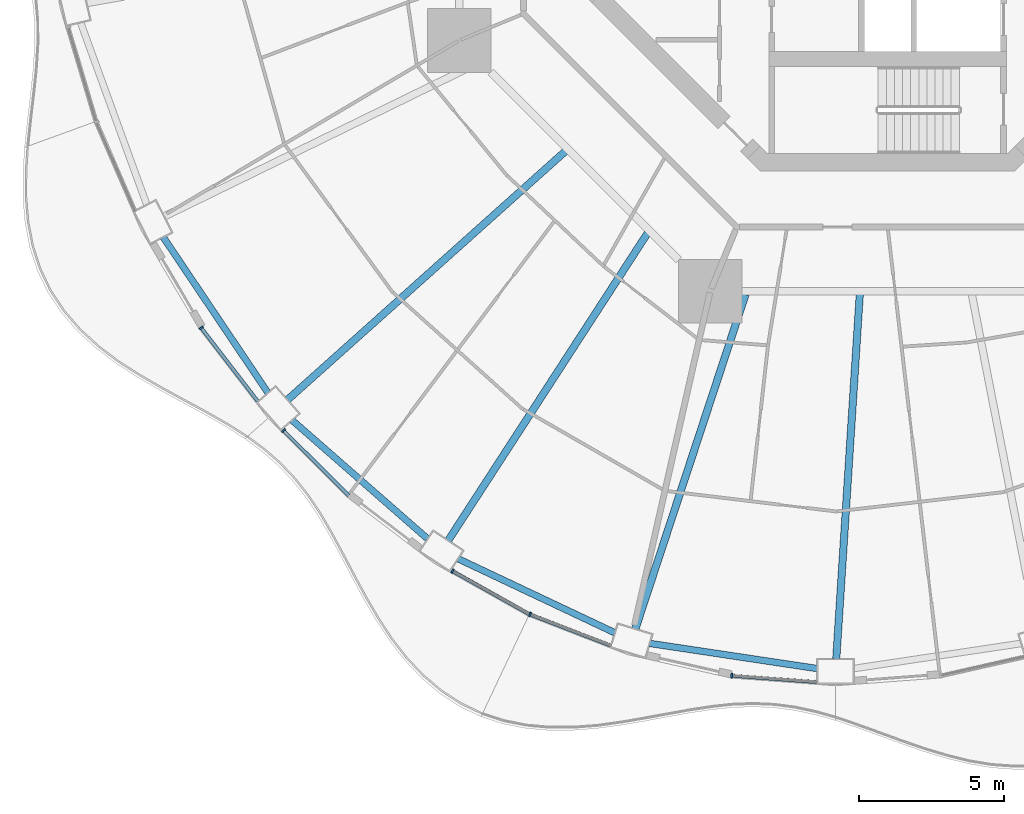
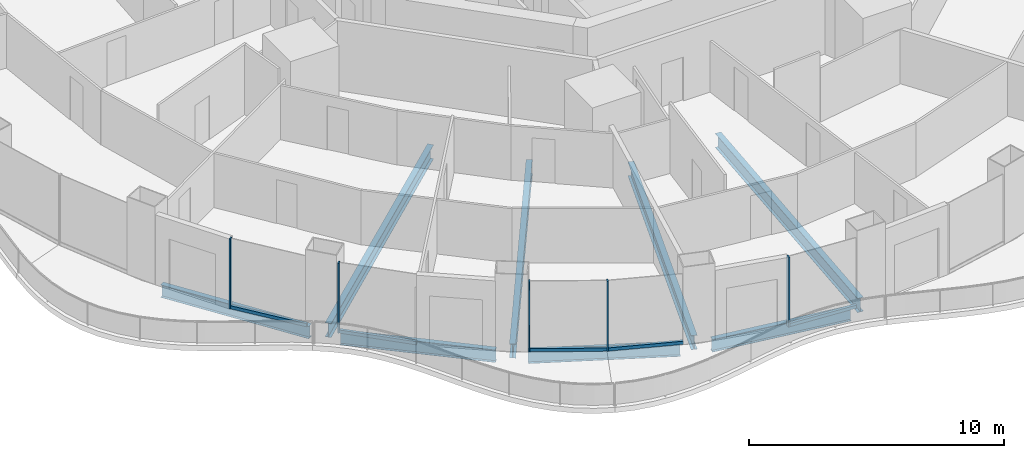
# One storey, part 2 of 23: 10 members, 8 beams, 5 elements without a shape of their own.
"""IFC4 building model written with IfcOpenShell, lengths in metres."""

from ifc_helpers import new_model, si_unit, direction, frame, origin, origin_2d, place, context, subcontext, project, spatial, rectangle, i_section, extrude, material, layer, layer_set, material_profile, profile_set, type_object, element, aggregate, save


model = new_model("IFC4")

# Units and contexts
model_context = context("Model", 3, precision=1e-05, world=origin(), true_north=direction((0.0, 1.0)))
body_context = subcontext(model_context, "Body", "Model", "MODEL_VIEW")
ifc_project = project(units=[si_unit("LENGTHUNIT", "METRE"), si_unit("AREAUNIT", "SQUARE_METRE"), si_unit("VOLUMEUNIT", "CUBIC_METRE"), si_unit("PLANEANGLEUNIT", "RADIAN"), si_unit("MASSUNIT", "GRAM", prefix="KILO")], contexts=[model_context])

# Site, building, storey
site_placement = place(None, origin())
site = spatial("IfcSite", under=ifc_project, at=site_placement, CompositionType="ELEMENT")
building_placement = place(site_placement, origin())
building = spatial("IfcBuilding", under=site, at=building_placement, Name="Nagisa Residences", CompositionType="ELEMENT")
storey_placement = place(building_placement, frame((0.0, 0.0, 110.300048828125)))
storey = spatial("IfcBuildingStorey", under=building, at=storey_placement, Name="L27", CompositionType="ELEMENT", Elevation=110.300048828125)

# Curtain wall, member
ifc_material_1 = material(Name="Concrete-coloured aluminium curtain wall system", Category="concrete")
ifc_layer = layer(ifc_material_1, 0.159912109375)
ifc_layer_set = layer_set([ifc_layer], Name="CW1 CURTAIN WALL")
curtain_wall_type = type_object("IfcCurtainWallType", Name="CW1 CURTAIN WALL", PredefinedType="NOTDEFINED", material=ifc_layer_set)
curtain_wall_1_placement = place(storey_placement, origin())
curtain_wall_1 = element("IfcCurtainWall", 1, at=curtain_wall_1_placement, inside=storey, type_object=curtain_wall_type, Name="cw:CW1:L27:29", PredefinedType="NOTDEFINED")
ifc_material_2 = material(Name="Concrete-coloured aluminium", Category="concrete")
ifc_material_profile_1 = material_profile(ifc_material_2, rectangle(XDim=0.159912109375, YDim=0.06005859375, at=origin_2d()), Name="CW1 MULLION 160x60")
ifc_profile_set_1 = profile_set([ifc_material_profile_1], Name="Concrete-coloured aluminium")
member_type_1 = type_object("IfcMemberType", Name="CW1 MULLION 160x60", PredefinedType="MULLION", material=ifc_profile_set_1)
member_1_placement = place(storey_placement, frame((-23.690185546875, -16.042236328125, 0.0), z_axis=(0.0, 0.0, 1.0), x_axis=(0.792070340816, 0.610429828235, 0.0)))
member_1 = element("IfcMember", 2, at=member_1_placement, type_object=member_type_1, Name="CW1 mullion", PredefinedType="MULLION", context=body_context, shape_type="SweptSolid", body=[
    extrude(rectangle(XDim=0.159912109375, YDim=0.06005859375, at=origin_2d()), origin(), (0.0, 0.0, 1.0), 3.349853515625),
])

curtain_wall_2_placement = place(storey_placement, origin())
curtain_wall_2 = element("IfcCurtainWall", 3, at=curtain_wall_2_placement, inside=storey, type_object=curtain_wall_type, Name="cw:CW1:L27:30", PredefinedType="NOTDEFINED")
member_2_placement = place(storey_placement, frame((-20.845458984375, -19.590576171875, 0.0), z_axis=(0.0, 0.0, 1.0), x_axis=(0.706376885714, 0.707835924016, 0.0)))
member_2 = element("IfcMember", 4, at=member_2_placement, type_object=member_type_1, Name="CW1 mullion", PredefinedType="MULLION", context=body_context, shape_type="SweptSolid", body=[
    extrude(rectangle(XDim=0.159912109375, YDim=0.06005859375, at=origin_2d()), origin(), (0.0, 0.0, 1.0), 3.349853515625),
])

curtain_wall_3_placement = place(storey_placement, origin())
curtain_wall_3 = element("IfcCurtainWall", 5, at=curtain_wall_3_placement, inside=storey, type_object=curtain_wall_type, Name="cw:CW1:L27:32", PredefinedType="NOTDEFINED")
member_3_placement = place(storey_placement, frame((-15.015380859375, -24.43798828125, 0.0), z_axis=(0.0, 0.0, 1.0), x_axis=(0.489376918501, 0.872072377523, 0.0)))
member_3 = element("IfcMember", 6, at=member_3_placement, type_object=member_type_1, Name="CW1 mullion", PredefinedType="MULLION", context=body_context, shape_type="SweptSolid", body=[
    extrude(rectangle(XDim=0.159912109375, YDim=0.06005859375, at=origin_2d()), origin(), (0.0, 0.0, 1.0), 3.349853515625),
])

curtain_wall_4_placement = place(storey_placement, origin())
curtain_wall_4 = element("IfcCurtainWall", 7, at=curtain_wall_4_placement, inside=storey, type_object=curtain_wall_type, Name="cw:CW1:L27:33", PredefinedType="NOTDEFINED")
member_4_placement = place(storey_placement, frame((-12.341552734375, -25.9345703125, 0.0), z_axis=(0.0, 0.0, 1.0), x_axis=(0.360327770268, 0.932825759707, 0.0)))
member_4 = element("IfcMember", 8, at=member_4_placement, type_object=member_type_1, Name="CW1 mullion", PredefinedType="MULLION", context=body_context, shape_type="SweptSolid", body=[
    extrude(rectangle(XDim=0.159912109375, YDim=0.06005859375, at=origin_2d()), origin(), (0.0, 0.0, 1.0), 3.349853515625),
])

curtain_wall_5_placement = place(storey_placement, origin())
curtain_wall_5 = element("IfcCurtainWall", 9, at=curtain_wall_5_placement, inside=storey, type_object=curtain_wall_type, Name="cw:CW1:L27:35", PredefinedType="NOTDEFINED")
member_5_placement = place(storey_placement, frame((-5.379150390625, -28.050048828125, 0.0), z_axis=(0.0, 0.0, 1.0), x_axis=(0.074377355493, 0.997230168512, 0.0)))
member_5 = element("IfcMember", 10, at=member_5_placement, type_object=member_type_1, Name="CW1 mullion", PredefinedType="MULLION", context=body_context, shape_type="SweptSolid", body=[
    extrude(rectangle(XDim=0.159912109375, YDim=0.06005859375, at=origin_2d()), origin(), (0.0, 0.0, 1.0), 3.349853515625),
])

# Member
ifc_material_3 = material(Name="Concrete-coloured aluminium", Category="concrete")
ifc_material_profile_2 = material_profile(ifc_material_3, rectangle(XDim=0.1201171875, YDim=0.14990234375, at=origin_2d()), Name="CW1 TRANSOM 120x150")
ifc_profile_set_2 = profile_set([ifc_material_profile_2], Name="Concrete-coloured aluminium")
member_type_2 = type_object("IfcMemberType", Name="CW1 TRANSOM 120x150", PredefinedType="USERDEFINED", material=ifc_profile_set_2)
member_6_placement = place(storey_placement, frame((-23.70849609375, -16.0185546875, 0.074951171875), z_axis=(0.61041202934, -0.792084057684, 0.0), x_axis=(0.792084057684, 0.61041202934, 0.0)))
member_6 = element("IfcMember", 11, at=member_6_placement, type_object=member_type_2, Name="CW1 transom", ObjectType="TRANSOM", PredefinedType="USERDEFINED", context=body_context, shape_type="SweptSolid", body=[
    extrude(rectangle(XDim=0.1201171875, YDim=0.14990234375, at=origin_2d()), origin(), (0.0, 0.0, 1.0), 3.262939453125),
])

aggregate(curtain_wall_1, [member_1, member_6])

member_7_placement = place(storey_placement, frame((-20.86669921875, -19.5693359375, 0.074951171875), z_axis=(0.707869817944, -0.706342920149, 0.0), x_axis=(0.706342920149, 0.707869817944, 0.0)))
member_7 = element("IfcMember", 12, at=member_7_placement, type_object=member_type_2, Name="CW1 transom", ObjectType="TRANSOM", PredefinedType="USERDEFINED", context=body_context, shape_type="SweptSolid", body=[
    extrude(rectangle(XDim=0.1201171875, YDim=0.14990234375, at=origin_2d()), origin(), (0.0, 0.0, 1.0), 3.19775390625),
])

aggregate(curtain_wall_2, [member_2, member_7])

member_8_placement = place(storey_placement, frame((-15.04150390625, -24.42333984375, 0.074951171875), z_axis=(0.872037280335, -0.489439456631, 0.0), x_axis=(0.489439456631, 0.872037280335, 0.0)))
member_8 = element("IfcMember", 13, at=member_8_placement, type_object=member_type_2, Name="CW1 transom", ObjectType="TRANSOM", PredefinedType="USERDEFINED", context=body_context, shape_type="SweptSolid", body=[
    extrude(rectangle(XDim=0.1201171875, YDim=0.14990234375, at=origin_2d()), origin(), (0.0, 0.0, 1.0), 3.07568359375),
])

aggregate(curtain_wall_3, [member_3, member_8])

member_9_placement = place(storey_placement, frame((-12.36962890625, -25.923828125, 0.074951171875), z_axis=(0.932837560624, -0.360297218263, 0.0), x_axis=(0.360297218263, 0.932837560624, 0.0)))
member_9 = element("IfcMember", 14, at=member_9_placement, type_object=member_type_2, Name="CW1 transom", ObjectType="TRANSOM", PredefinedType="USERDEFINED", context=body_context, shape_type="SweptSolid", body=[
    extrude(rectangle(XDim=0.1201171875, YDim=0.14990234375, at=origin_2d()), origin(), (0.0, 0.0, 1.0), 3.027587890625),
])

aggregate(curtain_wall_4, [member_4, member_9])

member_10_placement = place(storey_placement, frame((-5.408935546875, -28.0478515625, 0.074951171875), z_axis=(0.997226174467, -0.074430887117, 0.0), x_axis=(0.074430887117, 0.997226174467, 0.0)))
member_10 = element("IfcMember", 15, at=member_10_placement, type_object=member_type_2, Name="CW1 transom", ObjectType="TRANSOM", PredefinedType="USERDEFINED", context=body_context, shape_type="SweptSolid", body=[
    extrude(rectangle(XDim=0.1201171875, YDim=0.14990234375, at=origin_2d()), origin(), (0.0, 0.0, 1.0), 2.97509765625),
])

aggregate(curtain_wall_5, [member_5, member_10])

# Beams
ifc_material_4 = material(Name="Steel ASTM A572 Gr 50", Category="steel")
ifc_material_profile_3 = material_profile(ifc_material_4, i_section(OverallWidth=0.22802734375, OverallDepth=0.60302734375, WebThickness=0.010498046875, FlangeThickness=0.014892578125, at=origin_2d()), Name="W610x101")
ifc_profile_set_3 = profile_set([ifc_material_profile_3], Name="Steel ASTM A572 Gr 50")
beam_type_1 = type_object("IfcBeamType", Name="Perimeter ring beam W610x101", PredefinedType="BEAM", material=ifc_profile_set_3)
beam_1_placement = place(storey_placement, frame((-24.9970703125, -12.91650390625, -0.5615234375), z_axis=(0.558203607151, -0.829704003222, 0.0), x_axis=(0.829704003222, 0.558203607151, 0.0)))
element("IfcBeam", 16, at=beam_1_placement, inside=storey, type_object=beam_type_1, Name="beam:L27:pb15", PredefinedType="BEAM", context=body_context, shape_type="SweptSolid", body=[
    extrude(i_section(OverallWidth=0.22802734375, OverallDepth=0.60302734375, WebThickness=0.010498046875, FlangeThickness=0.014892578125, at=origin_2d()), origin(), (0.0, 0.0, 1.0), 6.4716796875),
])
beam_2_placement = place(storey_placement, frame((-20.551513671875, -19.231689453125, -0.5615234375), z_axis=(0.752542612886, -0.658543556488, 0.0), x_axis=(0.658543556488, 0.752542612886, 0.0)))
element("IfcBeam", 17, at=beam_2_placement, inside=storey, type_object=beam_type_1, Name="beam:L27:pb16", PredefinedType="BEAM", context=body_context, shape_type="SweptSolid", body=[
    extrude(i_section(OverallWidth=0.22802734375, OverallDepth=0.60302734375, WebThickness=0.010498046875, FlangeThickness=0.014892578125, at=origin_2d()), origin(), (0.0, 0.0, 1.0), 6.212646484375),
])
beam_3_placement = place(storey_placement, frame((-14.822021484375, -24.013916015625, -0.5615234375), z_axis=(0.90418952838, -0.427131474804, 0.0), x_axis=(0.427131474804, 0.90418952838, 0.0)))
element("IfcBeam", 18, at=beam_3_placement, inside=storey, type_object=beam_type_1, Name="beam:L27:pb17", PredefinedType="BEAM", context=body_context, shape_type="SweptSolid", body=[
    extrude(i_section(OverallWidth=0.22802734375, OverallDepth=0.60302734375, WebThickness=0.010498046875, FlangeThickness=0.014892578125, at=origin_2d()), origin(), (0.0, 0.0, 1.0), 5.98046875),
])
beam_4_placement = place(storey_placement, frame((-8.20849609375, -26.93505859375, -0.5615234375), z_axis=(0.988913048607, -0.148495731568, 0.0), x_axis=(0.148495731568, 0.988913048607, 0.0)))
element("IfcBeam", 19, at=beam_4_placement, inside=storey, type_object=beam_type_1, Name="beam:L27:pb18", PredefinedType="BEAM", context=body_context, shape_type="SweptSolid", body=[
    extrude(i_section(OverallWidth=0.22802734375, OverallDepth=0.60302734375, WebThickness=0.010498046875, FlangeThickness=0.014892578125, at=origin_2d()), origin(), (0.0, 0.0, 1.0), 5.843017578125),
])
ifc_material_5 = material(Name="Steel ASTM A572 Gr 50", Category="steel")
ifc_material_profile_4 = material_profile(ifc_material_5, i_section(OverallWidth=0.2529296875, OverallDepth=0.677978515625, WebThickness=0.01171875, FlangeThickness=0.016357421875, at=origin_2d()), Name="W690x125")
ifc_profile_set_4 = profile_set([ifc_material_profile_4], Name="Steel ASTM A572 Gr 50")
beam_type_2 = type_object("IfcBeamType", Name="Radial beam W690x125", PredefinedType="BEAM", material=ifc_profile_set_4)
beam_5_placement = place(storey_placement, frame((-20.709228515625, -18.526611328125, -0.59912109375), z_axis=(0.745284973843, 0.666746059428, 0.0), x_axis=(-0.666746059428, 0.745284973843, 0.0)))
element("IfcBeam", 20, at=beam_5_placement, inside=storey, type_object=beam_type_2, Name="beam:L27:rb16", PredefinedType="BEAM", context=body_context, shape_type="SweptSolid", body=[
    extrude(i_section(OverallWidth=0.2529296875, OverallDepth=0.677978515625, WebThickness=0.01171875, FlangeThickness=0.016357421875, at=origin_2d()), origin(), (0.0, 0.0, 1.0), 12.869384765625),
])
beam_6_placement = place(storey_placement, frame((-15.16357421875, -23.38134765625, -0.59912109375), z_axis=(0.544121648903, 0.839006335611, 0.0), x_axis=(-0.839006335611, 0.544121648903, 0.0)))
element("IfcBeam", 21, at=beam_6_placement, inside=storey, type_object=beam_type_2, Name="beam:L27:rb17", PredefinedType="BEAM", context=body_context, shape_type="SweptSolid", body=[
    extrude(i_section(OverallWidth=0.2529296875, OverallDepth=0.677978515625, WebThickness=0.01171875, FlangeThickness=0.016357421875, at=origin_2d()), origin(), (0.0, 0.0, 1.0), 12.63818359375),
])
beam_7_placement = place(storey_placement, frame((-8.7041015625, -26.431884765625, -0.59912109375), z_axis=(0.312788454633, 0.94982281645, 0.0), x_axis=(-0.94982281645, 0.312788454633, 0.0)))
element("IfcBeam", 22, at=beam_7_placement, inside=storey, type_object=beam_type_2, Name="beam:L27:rb18", PredefinedType="BEAM", context=body_context, shape_type="SweptSolid", body=[
    extrude(i_section(OverallWidth=0.2529296875, OverallDepth=0.677978515625, WebThickness=0.01171875, FlangeThickness=0.016357421875, at=origin_2d()), origin(), (0.0, 0.0, 1.0), 12.145751953125),
])
beam_8_placement = place(storey_placement, frame((-1.772216796875, -27.46728515625, -0.59912109375), z_axis=(0.064392860553, 0.997924626167, 0.0), x_axis=(-0.997924626167, 0.064392860553, 0.0)))
element("IfcBeam", 23, at=beam_8_placement, inside=storey, type_object=beam_type_2, Name="beam:L27:rb19", PredefinedType="BEAM", context=body_context, shape_type="SweptSolid", body=[
    extrude(i_section(OverallWidth=0.2529296875, OverallDepth=0.677978515625, WebThickness=0.01171875, FlangeThickness=0.016357421875, at=origin_2d()), origin(), (0.0, 0.0, 1.0), 12.598876953125),
])

save(model, "model.ifc")
